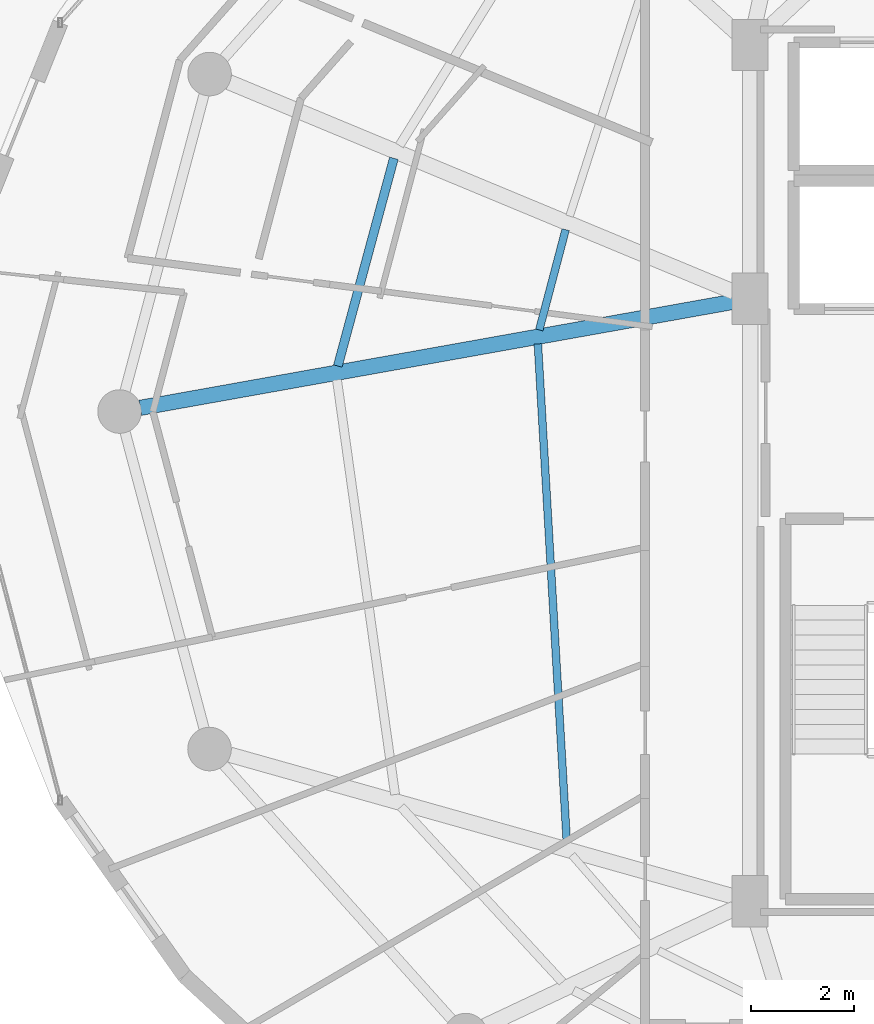
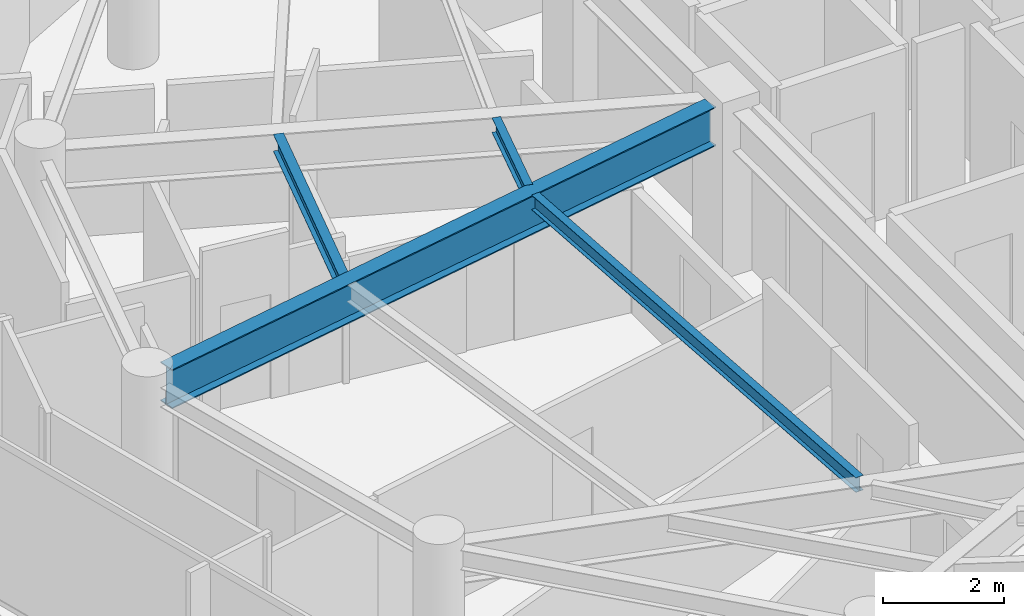
# One storey, part 7 of 30: 4 beams.
"""IFC4 building model written with IfcOpenShell, lengths in metres."""

from ifc_helpers import new_model, si_unit, direction, frame, origin, origin_2d, place, context, subcontext, project, spatial, i_section, extrude, material, material_profile, profile_set, type_object, element, save


model = new_model("IFC4")

# Units and contexts
model_context = context("Model", 3, precision=1e-05, world=origin(), true_north=direction((0.0, 1.0)))
body_context = subcontext(model_context, "Body", "Model", "MODEL_VIEW")
ifc_project = project(units=[si_unit("LENGTHUNIT", "METRE"), si_unit("AREAUNIT", "SQUARE_METRE"), si_unit("VOLUMEUNIT", "CUBIC_METRE"), si_unit("PLANEANGLEUNIT", "RADIAN"), si_unit("MASSUNIT", "GRAM", prefix="KILO")], contexts=[model_context])

# Site, building, storey
site_placement = place(None, origin())
site = spatial("IfcSite", under=ifc_project, at=site_placement, CompositionType="ELEMENT")
building_placement = place(site_placement, origin())
building = spatial("IfcBuilding", under=site, at=building_placement, Name="Vorneva Point Tower", CompositionType="ELEMENT")
storey_placement = place(building_placement, frame((0.0, 0.0, 234.25)))
storey = spatial("IfcBuildingStorey", under=building, at=storey_placement, Name="L63", CompositionType="ELEMENT", Elevation=234.25)

# Beams
ifc_material = material(Name="Steel S355", Category="steel")
ifc_material_profile_1 = material_profile(ifc_material, i_section(OverallWidth=0.300048828125, OverallDepth=0.7880859375, WebThickness=0.014404296875, FlangeThickness=0.02197265625, at=origin_2d()), Name="80Sh1")
ifc_profile_set_1 = profile_set([ifc_material_profile_1], Name="Steel S355")
beam_type_1 = type_object("IfcBeamType", Name="BM-GRD-80Sh1", PredefinedType="USERDEFINED", material=ifc_profile_set_1)
beam_1_placement = place(storey_placement, frame((15.3564453125, 26.07275390625, 2.89599609375), z_axis=(0.9843788355, 0.17606336422, 0.0), x_axis=(-0.17606336422, 0.9843788355, 0.0)))
element("IfcBeam", 1, at=beam_1_placement, inside=storey, type_object=beam_type_1, Name="L63 Radial Primary Girder 09", ObjectType="GIRDER", PredefinedType="USERDEFINED", context=body_context, shape_type="SweptSolid", body=[
    extrude(i_section(OverallWidth=0.300048828125, OverallDepth=0.7880859375, WebThickness=0.014404296875, FlangeThickness=0.02197265625, at=origin_2d()), origin(), (0.0, 0.0, 1.0), 11.7421875),
])
ifc_material_profile_2 = material_profile(ifc_material, i_section(OverallWidth=0.14892578125, OverallDepth=0.298095703125, WebThickness=0.005615234375, FlangeThickness=0.008056640625, at=origin_2d()), Name="30B1")
ifc_profile_set_2 = profile_set([ifc_material_profile_2], Name="Steel S355")
beam_type_2 = type_object("IfcBeamType", Name="BM-JST-30B1", PredefinedType="JOIST", material=ifc_profile_set_2)
beam_2_placement = place(storey_placement, frame((23.650390625, 29.5478515625, 3.14111328125), z_axis=(-0.254273504395, -0.967132351316, 0.0), x_axis=(0.967132351316, -0.254273504395, 0.0)))
element("IfcBeam", 2, at=beam_2_placement, inside=storey, type_object=beam_type_2, Name="L63 Secondary Floor Beam 2.08", PredefinedType="JOIST", context=body_context, shape_type="SweptSolid", body=[
    extrude(i_section(OverallWidth=0.14892578125, OverallDepth=0.298095703125, WebThickness=0.005615234375, FlangeThickness=0.008056640625, at=origin_2d()), origin(), (0.0, 0.0, 1.0), 2.02294921875),
])
beam_3_placement = place(storey_placement, frame((23.10888671875, 27.320068359375, 3.14111328125), z_axis=(0.057974452456, -0.998318066982, 0.0), x_axis=(0.998318066982, 0.057974452456, 0.0)))
element("IfcBeam", 3, at=beam_3_placement, inside=storey, type_object=beam_type_2, Name="L63 Secondary Floor Beam 2.09", PredefinedType="JOIST", context=body_context, shape_type="SweptSolid", body=[
    extrude(i_section(OverallWidth=0.14892578125, OverallDepth=0.298095703125, WebThickness=0.005615234375, FlangeThickness=0.008056640625, at=origin_2d()), origin(), (0.0, 0.0, 1.0), 9.74462890625),
])
ifc_material_profile_3 = material_profile(ifc_material, i_section(OverallWidth=0.174072265625, OverallDepth=0.345947265625, WebThickness=0.006103515625, FlangeThickness=0.009033203125, at=origin_2d()), Name="35B1")
ifc_profile_set_3 = profile_set([ifc_material_profile_3], Name="Steel S355")
beam_type_3 = type_object("IfcBeamType", Name="BM-SEC-35B1", PredefinedType="BEAM", material=ifc_profile_set_3)
beam_4_placement = place(storey_placement, frame((20.300537109375, 30.939697265625, 3.116943359375), z_axis=(-0.260630606793, -0.965438598153, 0.0), x_axis=(0.965438598153, -0.260630606793, 0.0)))
element("IfcBeam", 4, at=beam_4_placement, inside=storey, type_object=beam_type_3, Name="L63 Secondary Floor Beam 1.08", PredefinedType="BEAM", context=body_context, shape_type="SweptSolid", body=[
    extrude(i_section(OverallWidth=0.174072265625, OverallDepth=0.345947265625, WebThickness=0.006103515625, FlangeThickness=0.009033203125, at=origin_2d()), origin(), (0.0, 0.0, 1.0), 4.196533203125),
])

save(model, "model.ifc")
